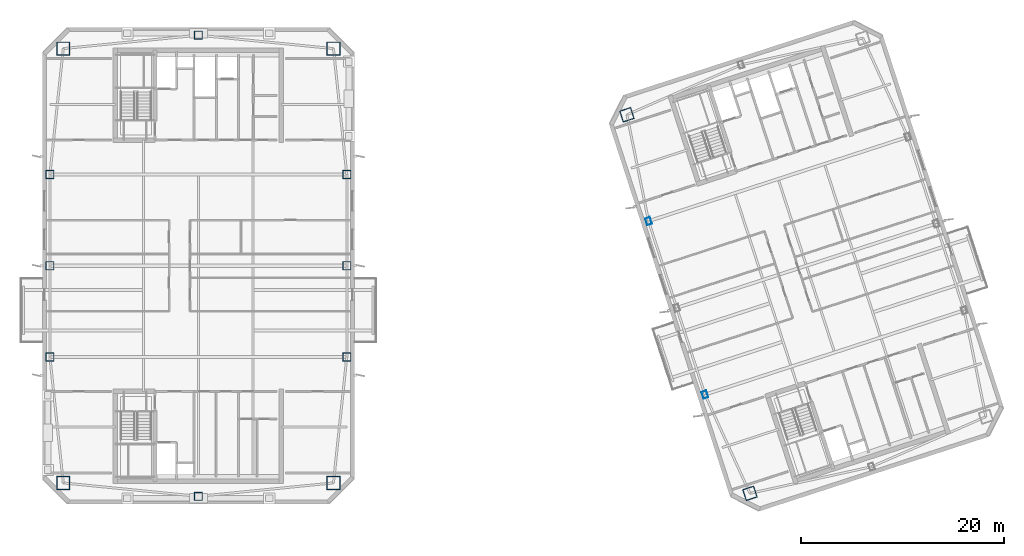
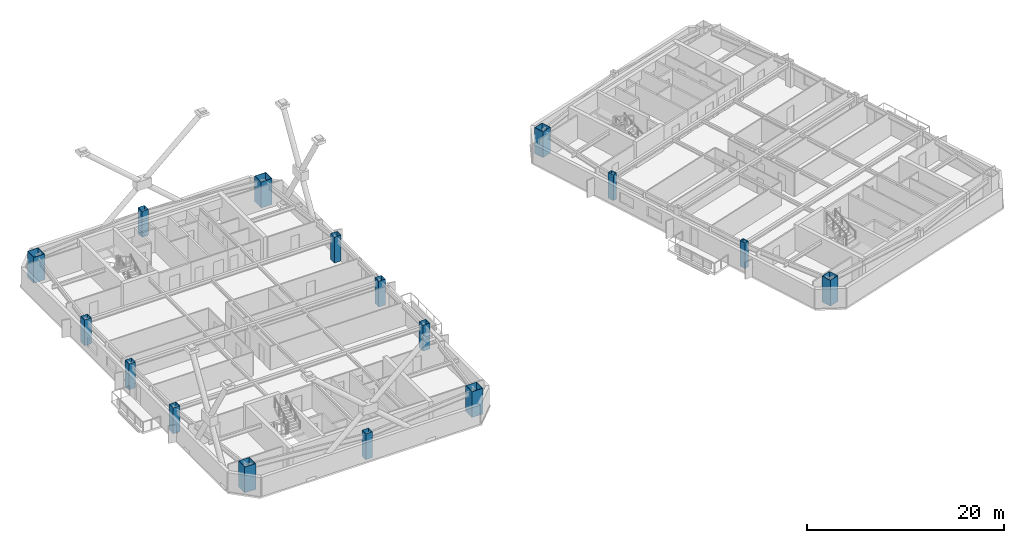
# One storey, part 1 of 18: 16 columns.
"""IFC4 building model written with IfcOpenShell, lengths in metres."""

from ifc_helpers import new_model, si_unit, direction, frame, origin, origin_2d, place, context, subcontext, project, spatial, hollow_rectangle, extrude, material, material_profile, profile_set, type_object, element, save


model = new_model("IFC4")

# Units and contexts
model_context = context("Model", 3, precision=1e-05, world=origin(), true_north=direction((0.0, 1.0)))
body_context = subcontext(model_context, "Body", "Model", "MODEL_VIEW")
ifc_project = project(units=[si_unit("LENGTHUNIT", "METRE"), si_unit("AREAUNIT", "SQUARE_METRE"), si_unit("VOLUMEUNIT", "CUBIC_METRE"), si_unit("PLANEANGLEUNIT", "RADIAN"), si_unit("MASSUNIT", "GRAM", prefix="KILO")], contexts=[model_context])

# Site, building, storey
site_placement = place(None, origin())
site = spatial("IfcSite", under=ifc_project, at=site_placement, CompositionType="ELEMENT")
building_placement = place(site_placement, origin())
building = spatial("IfcBuilding", under=site, at=building_placement, Name="Qiaolan Cultural Towers", CompositionType="ELEMENT")
storey_placement = place(building_placement, frame((0.0, 0.0, 237.60009765625)))
storey = spatial("IfcBuildingStorey", under=building, at=storey_placement, Name="L64", CompositionType="ELEMENT", Elevation=237.60009765625)

# Columns
ifc_material_1 = material(Name="Steel Q390GJB", Category="steel")
ifc_material_profile_1 = material_profile(ifc_material_1, hollow_rectangle(XDim=1.14990234375, YDim=1.14990234375, WallThickness=0.0400390625, at=origin_2d()), Name="BOX1150x1150x40")
ifc_profile_set_1 = profile_set([ifc_material_profile_1], Name="Steel Q390GJB")
column_type_1 = type_object("IfcColumnType", Name="COL-BOX1150x1150x40", PredefinedType="COLUMN", material=ifc_profile_set_1)
for number, where, z_axis, x_axis, name in (
    (1, (84.42822265625, 11.538818359375, 0.0), (0.0, 0.0, 1.0), (0.951056516295, 0.309016994375, 0.0), "L64 T2 Perimeter Column MC-SW"),
    (2, (72.2900390625, 48.896484375, 0.0), (0.0, 0.0, 1.0), (0.951056516295, 0.309016994375, 0.0), "L64 T2 Perimeter Column MC-NW"),
):
    element("IfcColumn", number, at=place(storey_placement, frame(where, z_axis=z_axis, x_axis=x_axis)), inside=storey, type_object=column_type_1, Name=name, PredefinedType="COLUMN", context=body_context, shape_type="SweptSolid", body=[
        extrude(hollow_rectangle(XDim=1.14990234375, YDim=1.14990234375, WallThickness=0.0400390625, at=origin_2d()), origin(), (0.0, 0.0, 1.0), 3.200927734375),
    ])
ifc_material_2 = material(Name="Steel Q390GJB", Category="steel")
ifc_material_profile_2 = material_profile(ifc_material_2, hollow_rectangle(XDim=1.300048828125, YDim=1.300048828125, WallThickness=0.044921875, at=origin_2d()), Name="BOX1300x1300x45")
ifc_profile_set_2 = profile_set([ifc_material_profile_2], Name="Steel Q390GJB")
column_type_2 = type_object("IfcColumnType", Name="COL-BOX1300x1300x45", PredefinedType="COLUMN", material=ifc_profile_set_2)
for number, where, z_axis, x_axis, name in (
    (3, (16.669921875, 12.570068359375, 0.0), (0.0, 0.0, 1.0), (1.0, 0.0, 0.0), "L64 T1 Perimeter Column MC-SW"),
    (4, (43.330078125, 12.570068359375, 0.0), (0.0, 0.0, 1.0), (1.0, 0.0, 0.0), "L64 T1 Perimeter Column MC-SE"),
    (5, (43.330078125, 55.429931640625, 0.0), (0.0, 0.0, 1.0), (1.0, 0.0, 0.0), "L64 T1 Perimeter Column MC-NE"),
    (6, (16.669921875, 55.429931640625, 0.0), (0.0, 0.0, 1.0), (1.0, 0.0, 0.0), "L64 T1 Perimeter Column MC-NW"),
):
    element("IfcColumn", number, at=place(storey_placement, frame(where, z_axis=z_axis, x_axis=x_axis)), inside=storey, type_object=column_type_2, Name=name, PredefinedType="COLUMN", context=body_context, shape_type="SweptSolid", body=[
        extrude(hollow_rectangle(XDim=1.300048828125, YDim=1.300048828125, WallThickness=0.044921875, at=origin_2d()), origin(), (0.0, 0.0, 1.0), 3.200927734375),
    ])
ifc_material_3 = material(Name="Steel Q355B", Category="steel")
ifc_material_profile_3 = material_profile(ifc_material_3, hollow_rectangle(XDim=0.5, YDim=0.699951171875, WallThickness=0.02490234375, at=origin_2d()), Name="BOX700x500x25")
ifc_profile_set_3 = profile_set([ifc_material_profile_3], Name="Steel Q355B")
column_type_3 = type_object("IfcColumnType", Name="COL-BOX700x500x25", PredefinedType="COLUMN", material=ifc_profile_set_3)
for number, where, z_axis, x_axis, name in (
    (7, (79.989501953125, 21.2841796875, 0.0), (0.0, 0.0, 1.0), (0.951056516295, 0.309016994375, 0.0), "L64 T2 Perimeter Column PC-W1"),
    (8, (74.42724609375, 38.4033203125, 0.0), (0.0, 0.0, 1.0), (0.951056516295, 0.309016994375, 0.0), "L64 T2 Perimeter Column PC-W3"),
):
    element("IfcColumn", number, at=place(storey_placement, frame(where, z_axis=z_axis, x_axis=x_axis)), inside=storey, type_object=column_type_3, Name=name, PredefinedType="COLUMN", context=body_context, shape_type="SweptSolid", body=[
        extrude(hollow_rectangle(XDim=0.5, YDim=0.699951171875, WallThickness=0.02490234375, at=origin_2d()), origin(), (0.0, 0.0, 1.0), 3.200927734375),
    ])
ifc_material_4 = material(Name="Steel Q355B", Category="steel")
ifc_material_profile_4 = material_profile(ifc_material_4, hollow_rectangle(XDim=0.800048828125, YDim=0.800048828125, WallThickness=0.028076171875, at=origin_2d()), Name="BOX800x800x28")
ifc_profile_set_4 = profile_set([ifc_material_profile_4], Name="Steel Q355B")
column_type_4 = type_object("IfcColumnType", Name="COL-BOX800x800x28", PredefinedType="COLUMN", material=ifc_profile_set_4)
for number, where, z_axis, x_axis, name in (
    (9, (15.35009765625, 25.0, 0.0), (0.0, 0.0, 1.0), (1.0, 0.0, 0.0), "L64 T1 Perimeter Column PC-W1"),
    (10, (15.35009765625, 34.0, 0.0), (0.0, 0.0, 1.0), (1.0, 0.0, 0.0), "L64 T1 Perimeter Column PC-W2"),
    (11, (15.35009765625, 43.0, 0.0), (0.0, 0.0, 1.0), (1.0, 0.0, 0.0), "L64 T1 Perimeter Column PC-W3"),
    (12, (44.64990234375, 25.0, 0.0), (0.0, 0.0, 1.0), (1.0, 0.0, 0.0), "L64 T1 Perimeter Column PC-E1"),
    (13, (44.64990234375, 34.0, 0.0), (0.0, 0.0, 1.0), (1.0, 0.0, 0.0), "L64 T1 Perimeter Column PC-E2"),
    (14, (44.64990234375, 43.0, 0.0), (0.0, 0.0, 1.0), (1.0, 0.0, 0.0), "L64 T1 Perimeter Column PC-E3"),
    (15, (30.0, 11.25, 0.0), (0.0, 0.0, 1.0), (1.0, 0.0, 0.0), "L64 T1 Perimeter Column PC-S0"),
    (16, (30.0, 56.75, 0.0), (0.0, 0.0, 1.0), (1.0, 0.0, 0.0), "L64 T1 Perimeter Column PC-N0"),
):
    element("IfcColumn", number, at=place(storey_placement, frame(where, z_axis=z_axis, x_axis=x_axis)), inside=storey, type_object=column_type_4, Name=name, PredefinedType="COLUMN", context=body_context, shape_type="SweptSolid", body=[
        extrude(hollow_rectangle(XDim=0.800048828125, YDim=0.800048828125, WallThickness=0.028076171875, at=origin_2d()), origin(), (0.0, 0.0, 1.0), 3.200927734375),
    ])

save(model, "model.ifc")
